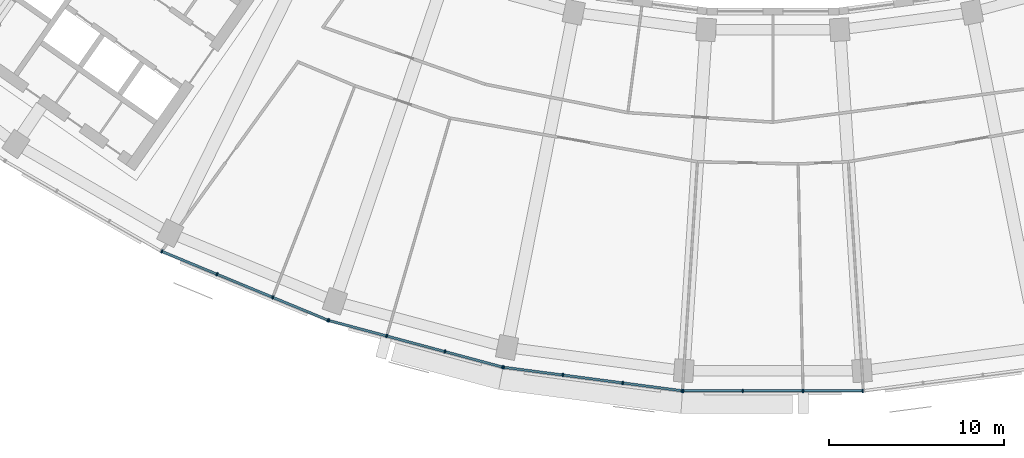
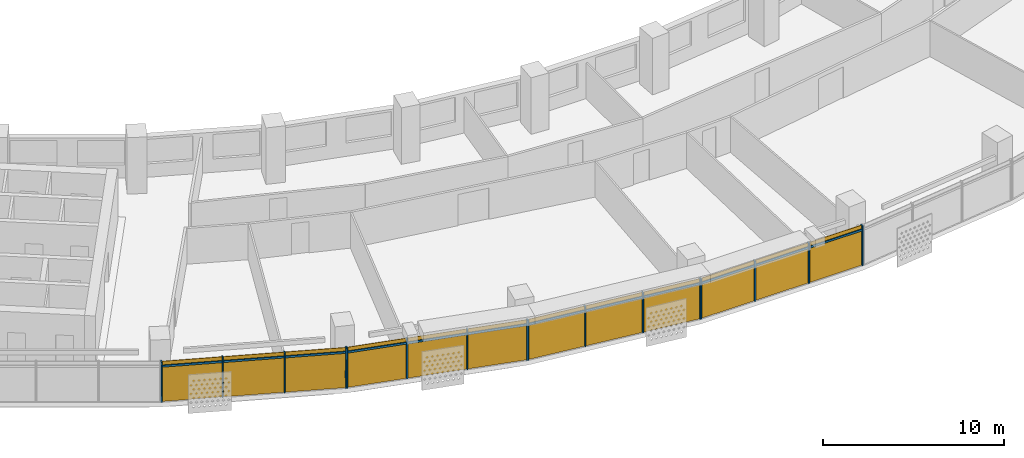
# One storey, part 19 of 27: 28 members, 4 curtain walls.
"""IFC4 building model written with IfcOpenShell, lengths in metres."""

from ifc_helpers import new_model, si_unit, direction, frame, origin, origin_2d, place, context, subcontext, project, spatial, rectangle, extrude, material, material_profile, profile_set, type_object, element, aggregate, save


model = new_model("IFC4")

# Units and contexts
model_context = context("Model", 3, precision=1e-05, world=origin(), true_north=direction((0.0, 1.0)))
body_context = subcontext(model_context, "Body", "Model", "MODEL_VIEW")
ifc_project = project(units=[si_unit("LENGTHUNIT", "METRE"), si_unit("AREAUNIT", "SQUARE_METRE"), si_unit("VOLUMEUNIT", "CUBIC_METRE"), si_unit("PLANEANGLEUNIT", "RADIAN"), si_unit("MASSUNIT", "GRAM", prefix="KILO")], contexts=[model_context])

# Member
ifc_material = material(Name="Aluminium 6063-T6 anodised", Category="aluminium")
ifc_material_profile_1 = material_profile(ifc_material, rectangle(XDim=0.199951171875, YDim=0.070068359375, at=origin_2d()))
ifc_profile_set_1 = profile_set([ifc_material_profile_1], Name="Aluminium 6063-T6 anodised")
member_type_1 = type_object("IfcMemberType", Name="Mullion 70 x 200 aluminium", PredefinedType="MULLION", material=ifc_profile_set_1)
site_placement = place(None, origin())
building_placement = place(site_placement, origin())
storey_placement = place(building_placement, frame((0.0, 0.0, 175.89990234375)))
member_1_placement = place(storey_placement, frame((-34.8701171875, -70.77392578125, 0.0), z_axis=(0.0, 0.0, 1.0), x_axis=(0.382683432365, 0.923879532511, 0.0)))
member_1 = element("IfcMember", 1, at=member_1_placement, type_object=member_type_1, Name="e-cw1-L41-out04/M00", PredefinedType="MULLION", context=body_context, shape_type="SweptSolid", body=[
    extrude(rectangle(XDim=0.199951171875, YDim=0.070068359375, at=origin_2d()), origin(), (0.0, 0.0, 1.0), 2.7001953125),
])

member_2_placement = place(storey_placement, frame((-31.72021484375, -72.078857421875, 0.0), z_axis=(0.0, 0.0, 1.0), x_axis=(0.382683432365, 0.923879532511, 0.0)))
member_2 = element("IfcMember", 2, at=member_2_placement, type_object=member_type_1, Name="e-cw1-L41-out04/M01", PredefinedType="MULLION", context=body_context, shape_type="SweptSolid", body=[
    extrude(rectangle(XDim=0.199951171875, YDim=0.070068359375, at=origin_2d()), origin(), (0.0, 0.0, 1.0), 2.7001953125),
])

member_3_placement = place(storey_placement, frame((-28.537841796875, -73.39697265625, 0.0), z_axis=(0.0, 0.0, 1.0), x_axis=(0.382683432365, 0.923879532511, 0.0)))
member_3 = element("IfcMember", 3, at=member_3_placement, type_object=member_type_1, Name="e-cw1-L41-out04/M02", PredefinedType="MULLION", context=body_context, shape_type="SweptSolid", body=[
    extrude(rectangle(XDim=0.199951171875, YDim=0.070068359375, at=origin_2d()), origin(), (0.0, 0.0, 1.0), 2.7001953125),
])

member_4_placement = place(storey_placement, frame((-25.3876953125, -74.70166015625, 0.0), z_axis=(0.0, 0.0, 1.0), x_axis=(0.382683432365, 0.923879532511, 0.0)))
member_4 = element("IfcMember", 4, at=member_4_placement, type_object=member_type_1, Name="e-cw1-L41-out04/M03", PredefinedType="MULLION", context=body_context, shape_type="SweptSolid", body=[
    extrude(rectangle(XDim=0.199951171875, YDim=0.070068359375, at=origin_2d()), origin(), (0.0, 0.0, 1.0), 2.7001953125),
])

member_5_placement = place(storey_placement, frame((-25.333984375, -74.719970703125, 0.0), z_axis=(0.0, 0.0, 1.0), x_axis=(0.258819045103, 0.965925826289, 0.0)))
member_5 = element("IfcMember", 5, at=member_5_placement, type_object=member_type_1, Name="e-cw1-L41-out05/M00", PredefinedType="MULLION", context=body_context, shape_type="SweptSolid", body=[
    extrude(rectangle(XDim=0.199951171875, YDim=0.070068359375, at=origin_2d()), origin(), (0.0, 0.0, 1.0), 2.7001953125),
])

member_6_placement = place(storey_placement, frame((-22.04052734375, -75.602294921875, 0.0), z_axis=(0.0, 0.0, 1.0), x_axis=(0.258819045103, 0.965925826289, 0.0)))
member_6 = element("IfcMember", 6, at=member_6_placement, type_object=member_type_1, Name="e-cw1-L41-out05/M01", PredefinedType="MULLION", context=body_context, shape_type="SweptSolid", body=[
    extrude(rectangle(XDim=0.199951171875, YDim=0.070068359375, at=origin_2d()), origin(), (0.0, 0.0, 1.0), 2.7001953125),
])

member_7_placement = place(storey_placement, frame((-18.71337890625, -76.493896484375, 0.0), z_axis=(0.0, 0.0, 1.0), x_axis=(0.258819045103, 0.965925826289, 0.0)))
member_7 = element("IfcMember", 7, at=member_7_placement, type_object=member_type_1, Name="e-cw1-L41-out05/M02", PredefinedType="MULLION", context=body_context, shape_type="SweptSolid", body=[
    extrude(rectangle(XDim=0.199951171875, YDim=0.070068359375, at=origin_2d()), origin(), (0.0, 0.0, 1.0), 2.7001953125),
])

member_8_placement = place(storey_placement, frame((-15.420166015625, -77.37646484375, 0.0), z_axis=(0.0, 0.0, 1.0), x_axis=(0.258819045103, 0.965925826289, 0.0)))
member_8 = element("IfcMember", 8, at=member_8_placement, type_object=member_type_1, Name="e-cw1-L41-out05/M03", PredefinedType="MULLION", context=body_context, shape_type="SweptSolid", body=[
    extrude(rectangle(XDim=0.199951171875, YDim=0.070068359375, at=origin_2d()), origin(), (0.0, 0.0, 1.0), 2.7001953125),
])

member_9_placement = place(storey_placement, frame((-15.364501953125, -77.387451171875, 0.0), z_axis=(0.0, 0.0, 1.0), x_axis=(0.13052619222, 0.991444861374, 0.0)))
member_9 = element("IfcMember", 9, at=member_9_placement, type_object=member_type_1, Name="e-cw1-L41-out06/M00", PredefinedType="MULLION", context=body_context, shape_type="SweptSolid", body=[
    extrude(rectangle(XDim=0.199951171875, YDim=0.070068359375, at=origin_2d()), origin(), (0.0, 0.0, 1.0), 2.7001953125),
])

member_10_placement = place(storey_placement, frame((-11.98388671875, -77.83251953125, 0.0), z_axis=(0.0, 0.0, 1.0), x_axis=(0.13052619222, 0.991444861374, 0.0)))
member_10 = element("IfcMember", 10, at=member_10_placement, type_object=member_type_1, Name="e-cw1-L41-out06/M01", PredefinedType="MULLION", context=body_context, shape_type="SweptSolid", body=[
    extrude(rectangle(XDim=0.199951171875, YDim=0.070068359375, at=origin_2d()), origin(), (0.0, 0.0, 1.0), 2.7001953125),
])

member_11_placement = place(storey_placement, frame((-8.56884765625, -78.2822265625, 0.0), z_axis=(0.0, 0.0, 1.0), x_axis=(0.13052619222, 0.991444861374, 0.0)))
member_11 = element("IfcMember", 11, at=member_11_placement, type_object=member_type_1, Name="e-cw1-L41-out06/M02", PredefinedType="MULLION", context=body_context, shape_type="SweptSolid", body=[
    extrude(rectangle(XDim=0.199951171875, YDim=0.070068359375, at=origin_2d()), origin(), (0.0, 0.0, 1.0), 2.7001953125),
])

member_12_placement = place(storey_placement, frame((-5.1884765625, -78.72705078125, 0.0), z_axis=(0.0, 0.0, 1.0), x_axis=(0.13052619222, 0.991444861374, 0.0)))
member_12 = element("IfcMember", 12, at=member_12_placement, type_object=member_type_1, Name="e-cw1-L41-out06/M03", PredefinedType="MULLION", context=body_context, shape_type="SweptSolid", body=[
    extrude(rectangle(XDim=0.199951171875, YDim=0.070068359375, at=origin_2d()), origin(), (0.0, 0.0, 1.0), 2.7001953125),
])

member_13_placement = place(storey_placement, frame((-5.1318359375, -78.73095703125, 0.0), z_axis=(0.0, 0.0, 1.0), x_axis=(0.0, 1.0, 0.0)))
member_13 = element("IfcMember", 13, at=member_13_placement, type_object=member_type_1, Name="e-cw1-L41-out07/M00", PredefinedType="MULLION", context=body_context, shape_type="SweptSolid", body=[
    extrude(rectangle(XDim=0.199951171875, YDim=0.070068359375, at=origin_2d()), origin(), (0.0, 0.0, 1.0), 2.7001953125),
])

member_14_placement = place(storey_placement, frame((-1.72216796875, -78.73095703125, 0.0), z_axis=(0.0, 0.0, 1.0), x_axis=(0.0, 1.0, 0.0)))
member_14 = element("IfcMember", 14, at=member_14_placement, type_object=member_type_1, Name="e-cw1-L41-out07/M01", PredefinedType="MULLION", context=body_context, shape_type="SweptSolid", body=[
    extrude(rectangle(XDim=0.199951171875, YDim=0.070068359375, at=origin_2d()), origin(), (0.0, 0.0, 1.0), 2.7001953125),
])

member_15_placement = place(storey_placement, frame((1.72216796875, -78.73095703125, 0.0), z_axis=(0.0, 0.0, 1.0), x_axis=(0.0, 1.0, 0.0)))
member_15 = element("IfcMember", 15, at=member_15_placement, type_object=member_type_1, Name="e-cw1-L41-out07/M02", PredefinedType="MULLION", context=body_context, shape_type="SweptSolid", body=[
    extrude(rectangle(XDim=0.199951171875, YDim=0.070068359375, at=origin_2d()), origin(), (0.0, 0.0, 1.0), 2.7001953125),
])

member_16_placement = place(storey_placement, frame((5.1318359375, -78.73095703125, 0.0), z_axis=(0.0, 0.0, 1.0), x_axis=(0.0, 1.0, 0.0)))
member_16 = element("IfcMember", 16, at=member_16_placement, type_object=member_type_1, Name="e-cw1-L41-out07/M03", PredefinedType="MULLION", context=body_context, shape_type="SweptSolid", body=[
    extrude(rectangle(XDim=0.199951171875, YDim=0.070068359375, at=origin_2d()), origin(), (0.0, 0.0, 1.0), 2.7001953125),
])

ifc_material_profile_2 = material_profile(ifc_material, rectangle(XDim=0.139892578125, YDim=0.1201171875, at=origin_2d()))
ifc_profile_set_2 = profile_set([ifc_material_profile_2], Name="Aluminium 6063-T6 anodised")
member_type_2 = type_object("IfcMemberType", Name="Transom 120 x 140 aluminium", PredefinedType="USERDEFINED", material=ifc_profile_set_2)
member_17_placement = place(storey_placement, frame((-34.837890625, -70.787353515625, 2.400146484375), z_axis=(0.923875164544, -0.382693977401, 0.0), x_axis=(0.382693977401, 0.923875164544, 0.0)))
member_17 = element("IfcMember", 17, at=member_17_placement, type_object=member_type_2, Name="e-cw1-L41-out04/T00", ObjectType="TRANSOM", PredefinedType="USERDEFINED", context=body_context, shape_type="SweptSolid", body=[
    extrude(rectangle(XDim=0.139892578125, YDim=0.1201171875, at=origin_2d()), origin(), (0.0, 0.0, 1.0), 3.339599609375),
])

member_18_placement = place(storey_placement, frame((-31.687744140625, -72.092041015625, 2.400146484375), z_axis=(0.923866926753, -0.382713863941, 0.0), x_axis=(0.382713863941, 0.923866926753, 0.0)))
member_18 = element("IfcMember", 18, at=member_18_placement, type_object=member_type_2, Name="e-cw1-L41-out04/T01", ObjectType="TRANSOM", PredefinedType="USERDEFINED", context=body_context, shape_type="SweptSolid", body=[
    extrude(rectangle(XDim=0.139892578125, YDim=0.1201171875, at=origin_2d()), origin(), (0.0, 0.0, 1.0), 3.37451171875),
])

member_19_placement = place(storey_placement, frame((-28.50537109375, -73.410400390625, 2.400146484375), z_axis=(0.923890305385, -0.382657423311, 0.0), x_axis=(0.382657423311, 0.923890305385, 0.0)))
member_19 = element("IfcMember", 19, at=member_19_placement, type_object=member_type_2, Name="e-cw1-L41-out04/T02", ObjectType="TRANSOM", PredefinedType="USERDEFINED", context=body_context, shape_type="SweptSolid", body=[
    extrude(rectangle(XDim=0.139892578125, YDim=0.1201171875, at=origin_2d()), origin(), (0.0, 0.0, 1.0), 3.33935546875),
])

member_20_placement = place(storey_placement, frame((-25.30029296875, -74.72900390625, 2.400146484375), z_axis=(0.965933368091, -0.258790897074, 0.0), x_axis=(0.258790897074, 0.965933368091, 0.0)))
member_20 = element("IfcMember", 20, at=member_20_placement, type_object=member_type_2, Name="e-cw1-L41-out05/T00", ObjectType="TRANSOM", PredefinedType="USERDEFINED", context=body_context, shape_type="SweptSolid", body=[
    extrude(rectangle(XDim=0.139892578125, YDim=0.1201171875, at=origin_2d()), origin(), (0.0, 0.0, 1.0), 3.339599609375),
])

member_21_placement = place(storey_placement, frame((-22.0068359375, -75.611572265625, 2.400146484375), z_axis=(0.965932873966, -0.258792741381, 0.0), x_axis=(0.258792741381, 0.965932873966, 0.0)))
member_21 = element("IfcMember", 21, at=member_21_placement, type_object=member_type_2, Name="e-cw1-L41-out05/T01", ObjectType="TRANSOM", PredefinedType="USERDEFINED", context=body_context, shape_type="SweptSolid", body=[
    extrude(rectangle(XDim=0.139892578125, YDim=0.1201171875, at=origin_2d()), origin(), (0.0, 0.0, 1.0), 3.37451171875),
])

member_22_placement = place(storey_placement, frame((-18.6796875, -76.5029296875, 2.400146484375), z_axis=(0.96591509168, -0.258859103886, 0.0), x_axis=(0.258859103886, 0.96591509168, 0.0)))
member_22 = element("IfcMember", 22, at=member_22_placement, type_object=member_type_2, Name="e-cw1-L41-out05/T02", ObjectType="TRANSOM", PredefinedType="USERDEFINED", context=body_context, shape_type="SweptSolid", body=[
    extrude(rectangle(XDim=0.139892578125, YDim=0.1201171875, at=origin_2d()), origin(), (0.0, 0.0, 1.0), 3.339599609375),
])

member_23_placement = place(storey_placement, frame((-15.32958984375, -77.39208984375, 2.400146484375), z_axis=(0.991448073325, -0.130501792706, 0.0), x_axis=(0.130501792706, 0.991448073325, 0.0)))
member_23 = element("IfcMember", 23, at=member_23_placement, type_object=member_type_2, Name="e-cw1-L41-out06/T00", ObjectType="TRANSOM", PredefinedType="USERDEFINED", context=body_context, shape_type="SweptSolid", body=[
    extrude(rectangle(XDim=0.139892578125, YDim=0.1201171875, at=origin_2d()), origin(), (0.0, 0.0, 1.0), 3.33935546875),
])

member_24_placement = place(storey_placement, frame((-11.94921875, -77.837158203125, 2.400146484375), z_axis=(0.991446413845, -0.130514399487, 0.0), x_axis=(0.130514399487, 0.991446413845, 0.0)))
member_24 = element("IfcMember", 24, at=member_24_placement, type_object=member_type_2, Name="e-cw1-L41-out06/T01", ObjectType="TRANSOM", PredefinedType="USERDEFINED", context=body_context, shape_type="SweptSolid", body=[
    extrude(rectangle(XDim=0.139892578125, YDim=0.1201171875, at=origin_2d()), origin(), (0.0, 0.0, 1.0), 3.37451171875),
])

member_25_placement = place(storey_placement, frame((-8.5341796875, -78.28662109375, 2.400146484375), z_axis=(0.991439857731, -0.130564193033, 0.0), x_axis=(0.130564193033, 0.991439857731, 0.0)))
member_25 = element("IfcMember", 25, at=member_25_placement, type_object=member_type_2, Name="e-cw1-L41-out06/T02", ObjectType="TRANSOM", PredefinedType="USERDEFINED", context=body_context, shape_type="SweptSolid", body=[
    extrude(rectangle(XDim=0.139892578125, YDim=0.1201171875, at=origin_2d()), origin(), (0.0, 0.0, 1.0), 3.339599609375),
])

member_26_placement = place(storey_placement, frame((-5.096923828125, -78.73095703125, 2.400146484375), z_axis=(1.0, 0.0, 0.0), x_axis=(0.0, 1.0, 0.0)))
member_26 = element("IfcMember", 26, at=member_26_placement, type_object=member_type_2, Name="e-cw1-L41-out07/T00", ObjectType="TRANSOM", PredefinedType="USERDEFINED", context=body_context, shape_type="SweptSolid", body=[
    extrude(rectangle(XDim=0.139892578125, YDim=0.1201171875, at=origin_2d()), origin(), (0.0, 0.0, 1.0), 3.339599609375),
])

member_27_placement = place(storey_placement, frame((-1.687255859375, -78.73095703125, 2.400146484375), z_axis=(1.0, 0.0, 0.0), x_axis=(0.0, 1.0, 0.0)))
member_27 = element("IfcMember", 27, at=member_27_placement, type_object=member_type_2, Name="e-cw1-L41-out07/T01", ObjectType="TRANSOM", PredefinedType="USERDEFINED", context=body_context, shape_type="SweptSolid", body=[
    extrude(rectangle(XDim=0.139892578125, YDim=0.1201171875, at=origin_2d()), origin(), (0.0, 0.0, 1.0), 3.37451171875),
])

member_28_placement = place(storey_placement, frame((1.75732421875, -78.73095703125, 2.400146484375), z_axis=(1.0, 0.0, 0.0), x_axis=(0.0, 1.0, 0.0)))
member_28 = element("IfcMember", 28, at=member_28_placement, type_object=member_type_2, Name="e-cw1-L41-out07/T02", ObjectType="TRANSOM", PredefinedType="USERDEFINED", context=body_context, shape_type="SweptSolid", body=[
    extrude(rectangle(XDim=0.139892578125, YDim=0.1201171875, at=origin_2d()), origin(), (0.0, 0.0, 1.0), 3.339599609375),
])

# Site, building, storey
site = spatial("IfcSite", under=ifc_project, at=site_placement, CompositionType="ELEMENT")
building = spatial("IfcBuilding", under=site, at=building_placement, Name="Qamariyya Broadcast Tower", CompositionType="ELEMENT")
storey = spatial("IfcBuildingStorey", under=building, at=storey_placement, Name="L41", CompositionType="ELEMENT", Elevation=175.89990234375)

# Curtain wall
curtain_wall_type = type_object("IfcCurtainWallType", Name="Unitised curtain wall, anodised aluminium", PredefinedType="NOTDEFINED", material=ifc_material)
curtain_wall_1_placement = place(storey_placement, origin())
curtain_wall_1 = element("IfcCurtainWall", 29, at=curtain_wall_1_placement, inside=storey, type_object=curtain_wall_type, Name="e-cw1-L41-out04", PredefinedType="NOTDEFINED", context=body_context, shape_type="SweptSolid", body=[
    extrude(rectangle(XDim=3.339599609375, YDim=0.031982421875, at=origin_2d()), frame((-33.295166015625, -71.42626953125, 0.0), x_axis=(0.923878040314, -0.382687034829, 0.0)), (0.0, 0.0, 1.0), 2.340087890625),
    extrude(rectangle(XDim=3.339599609375, YDim=0.031982421875, at=origin_2d()), frame((-33.295166015625, -71.42626953125, 2.460205078125), x_axis=(0.923878040314, -0.382687034829, 0.0)), (0.0, 0.0, 1.0), 0.239990234375),
    extrude(rectangle(XDim=3.37451171875, YDim=0.031982421875, at=origin_2d()), frame((-30.12890625, -72.73779296875, 0.0), x_axis=(0.923878040314, -0.382687034829, 0.0)), (0.0, 0.0, 1.0), 2.340087890625),
    extrude(rectangle(XDim=3.37451171875, YDim=0.031982421875, at=origin_2d()), frame((-30.12890625, -72.73779296875, 2.460205078125), x_axis=(0.923878040314, -0.382687034829, 0.0)), (0.0, 0.0, 1.0), 0.239990234375),
    extrude(rectangle(XDim=3.339599609375, YDim=0.031982421875, at=origin_2d()), frame((-26.962890625, -74.04931640625, 0.0), x_axis=(0.923878040314, -0.382687034829, 0.0)), (0.0, 0.0, 1.0), 2.340087890625),
    extrude(rectangle(XDim=3.339599609375, YDim=0.031982421875, at=origin_2d()), frame((-26.962890625, -74.04931640625, 2.460205078125), x_axis=(0.923878040314, -0.382687034829, 0.0)), (0.0, 0.0, 1.0), 0.239990234375),
])

aggregate(curtain_wall_1, [member_1, member_2, member_3, member_4, member_17, member_18, member_19])

curtain_wall_2_placement = place(storey_placement, origin())
curtain_wall_2 = element("IfcCurtainWall", 30, at=curtain_wall_2_placement, inside=storey, type_object=curtain_wall_type, Name="e-cw1-L41-out05", PredefinedType="NOTDEFINED", context=body_context, shape_type="SweptSolid", body=[
    extrude(rectangle(XDim=3.339599609375, YDim=0.031982421875, at=origin_2d()), frame((-23.6875, -75.1611328125, 0.0), x_axis=(0.965926433062, -0.258816780584, 0.0)), (0.0, 0.0, 1.0), 2.340087890625),
    extrude(rectangle(XDim=3.339599609375, YDim=0.031982421875, at=origin_2d()), frame((-23.6875, -75.1611328125, 2.460205078125), x_axis=(0.965926433062, -0.258816780584, 0.0)), (0.0, 0.0, 1.0), 0.239990234375),
    extrude(rectangle(XDim=3.37451171875, YDim=0.031982421875, at=origin_2d()), frame((-20.376953125, -76.04833984375, 0.0), x_axis=(0.965926433062, -0.258816780584, 0.0)), (0.0, 0.0, 1.0), 2.340087890625),
    extrude(rectangle(XDim=3.37451171875, YDim=0.031982421875, at=origin_2d()), frame((-20.376953125, -76.04833984375, 2.460205078125), x_axis=(0.965926433062, -0.258816780584, 0.0)), (0.0, 0.0, 1.0), 0.239990234375),
    extrude(rectangle(XDim=3.339599609375, YDim=0.031982421875, at=origin_2d()), frame((-17.066650390625, -76.935302734375, 0.0), x_axis=(0.965926433062, -0.258816780584, 0.0)), (0.0, 0.0, 1.0), 2.340087890625),
    extrude(rectangle(XDim=3.339599609375, YDim=0.031982421875, at=origin_2d()), frame((-17.066650390625, -76.935302734375, 2.460205078125), x_axis=(0.965926433062, -0.258816780584, 0.0)), (0.0, 0.0, 1.0), 0.239990234375),
])

aggregate(curtain_wall_2, [member_5, member_6, member_7, member_8, member_20, member_21, member_22])

curtain_wall_3_placement = place(storey_placement, origin())
curtain_wall_3 = element("IfcCurtainWall", 31, at=curtain_wall_3_placement, inside=storey, type_object=curtain_wall_type, Name="e-cw1-L41-out06", PredefinedType="NOTDEFINED", context=body_context, shape_type="SweptSolid", body=[
    extrude(rectangle(XDim=3.339599609375, YDim=0.031982421875, at=origin_2d()), frame((-13.67431640625, -77.60986328125, 0.0), x_axis=(0.991444240905, -0.130530905064, 0.0)), (0.0, 0.0, 1.0), 2.340087890625),
    extrude(rectangle(XDim=3.339599609375, YDim=0.031982421875, at=origin_2d()), frame((-13.67431640625, -77.60986328125, 2.460205078125), x_axis=(0.991444240905, -0.130530905064, 0.0)), (0.0, 0.0, 1.0), 0.239990234375),
    extrude(rectangle(XDim=3.37451171875, YDim=0.031982421875, at=origin_2d()), frame((-10.2763671875, -78.05712890625, 0.0), x_axis=(0.991444240905, -0.130530905064, 0.0)), (0.0, 0.0, 1.0), 2.340087890625),
    extrude(rectangle(XDim=3.37451171875, YDim=0.031982421875, at=origin_2d()), frame((-10.2763671875, -78.05712890625, 2.460205078125), x_axis=(0.991444240905, -0.130530905064, 0.0)), (0.0, 0.0, 1.0), 0.239990234375),
    extrude(rectangle(XDim=3.339599609375, YDim=0.031982421875, at=origin_2d()), frame((-6.878662109375, -78.504638671875, 0.0), x_axis=(0.991444240905, -0.130530905064, 0.0)), (0.0, 0.0, 1.0), 2.340087890625),
    extrude(rectangle(XDim=3.339599609375, YDim=0.031982421875, at=origin_2d()), frame((-6.878662109375, -78.504638671875, 2.460205078125), x_axis=(0.991444240905, -0.130530905064, 0.0)), (0.0, 0.0, 1.0), 0.239990234375),
])

aggregate(curtain_wall_3, [member_9, member_10, member_11, member_12, member_23, member_24, member_25])

curtain_wall_4_placement = place(storey_placement, origin())
curtain_wall_4 = element("IfcCurtainWall", 32, at=curtain_wall_4_placement, inside=storey, type_object=curtain_wall_type, Name="e-cw1-L41-out07", PredefinedType="NOTDEFINED", context=body_context, shape_type="SweptSolid", body=[
    extrude(rectangle(XDim=3.339599609375, YDim=0.031982421875, at=origin_2d()), frame((-3.427001953125, -78.73095703125, 0.0), x_axis=(1.0, 0.0, 0.0)), (0.0, 0.0, 1.0), 2.340087890625),
    extrude(rectangle(XDim=3.339599609375, YDim=0.031982421875, at=origin_2d()), frame((-3.427001953125, -78.73095703125, 2.460205078125), x_axis=(1.0, 0.0, 0.0)), (0.0, 0.0, 1.0), 0.239990234375),
    extrude(rectangle(XDim=3.37451171875, YDim=0.031982421875, at=origin_2d()), frame((0.0, -78.73095703125, 0.0), x_axis=(1.0, 0.0, 0.0)), (0.0, 0.0, 1.0), 2.340087890625),
    extrude(rectangle(XDim=3.37451171875, YDim=0.031982421875, at=origin_2d()), frame((0.0, -78.73095703125, 2.460205078125), x_axis=(1.0, 0.0, 0.0)), (0.0, 0.0, 1.0), 0.239990234375),
    extrude(rectangle(XDim=3.339599609375, YDim=0.031982421875, at=origin_2d()), frame((3.427001953125, -78.73095703125, 0.0), x_axis=(1.0, 0.0, 0.0)), (0.0, 0.0, 1.0), 2.340087890625),
    extrude(rectangle(XDim=3.339599609375, YDim=0.031982421875, at=origin_2d()), frame((3.427001953125, -78.73095703125, 2.460205078125), x_axis=(1.0, 0.0, 0.0)), (0.0, 0.0, 1.0), 0.239990234375),
])

aggregate(curtain_wall_4, [member_13, member_14, member_15, member_16, member_26, member_27, member_28])

save(model, "model.ifc")
